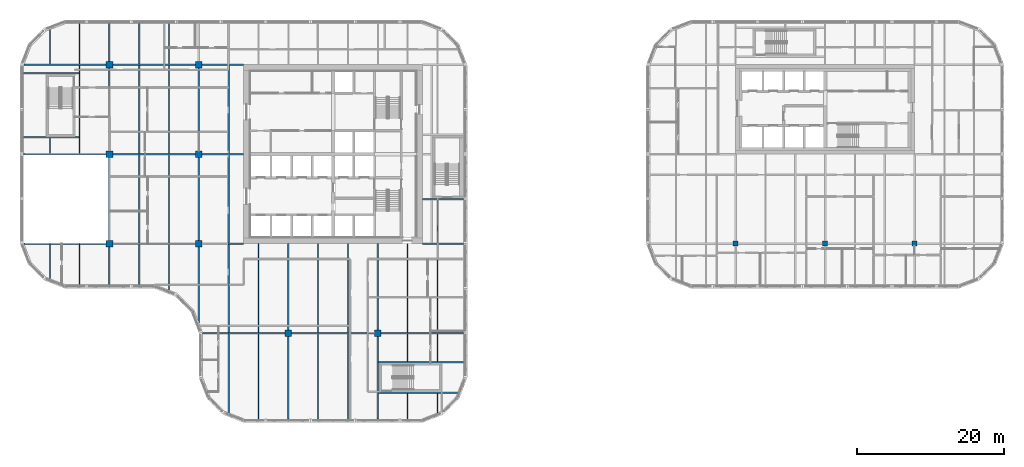
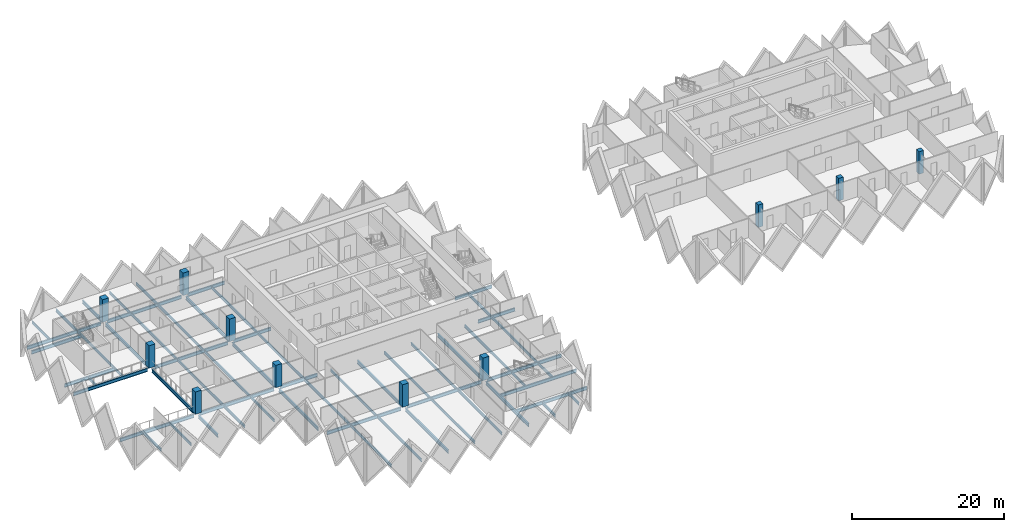
# One storey, part 1 of 19: 60 beams, 11 columns.
"""IFC4 building model written with IfcOpenShell, lengths in metres."""

from ifc_helpers import new_model, si_unit, direction, frame, origin, origin_2d, place, context, subcontext, project, spatial, rectangle, i_section, extrude, material, material_profile, profile_set, type_object, element, save


model = new_model("IFC4")

# Units and contexts
model_context = context("Model", 3, precision=1e-05, world=origin(), true_north=direction((0.0, 1.0)))
body_context = subcontext(model_context, "Body", "Model", "MODEL_VIEW")
ifc_project = project(units=[si_unit("LENGTHUNIT", "METRE"), si_unit("AREAUNIT", "SQUARE_METRE"), si_unit("VOLUMEUNIT", "CUBIC_METRE"), si_unit("PLANEANGLEUNIT", "RADIAN"), si_unit("MASSUNIT", "GRAM", prefix="KILO")], contexts=[model_context])

# Site, building, storey
site_placement = place(None, origin())
site = spatial("IfcSite", under=ifc_project, at=site_placement, CompositionType="ELEMENT")
building_placement = place(site_placement, origin())
building = spatial("IfcBuilding", under=site, at=building_placement, Name="Tessera Gate Towers", CompositionType="ELEMENT")
storey_placement = place(building_placement, frame((0.0, 0.0, 76.199951171875)))
storey = spatial("IfcBuildingStorey", under=building, at=storey_placement, Name="L18", CompositionType="ELEMENT", Elevation=76.199951171875)

# Columns
ifc_material_1 = material(Name="Concrete C70/85", Category="concrete")
ifc_material_profile_1 = material_profile(ifc_material_1, rectangle(XDim=0.699951171875, YDim=0.699951171875, at=origin_2d()), Name="RC 700x700")
ifc_profile_set_1 = profile_set([ifc_material_profile_1], Name="Concrete C70/85")
column_type_1 = type_object("IfcColumnType", Name="COLUMN RC 700x700", PredefinedType="COLUMN", material=ifc_profile_set_1)
for number, where, z_axis, x_axis, name in (
    (1, (97.60009765625, 24.39990234375, 0.0), (0.0, 0.0, 1.0), (1.0, 0.0, 0.0), "T2-COL-9C-L18"),
    (2, (109.800048828125, 24.39990234375, 0.0), (0.0, 0.0, 1.0), (1.0, 0.0, 0.0), "T2-COL-10C-L18"),
    (3, (122.0, 24.39990234375, 0.0), (0.0, 0.0, 1.0), (1.0, 0.0, 0.0), "T2-COL-11C-L18"),
):
    element("IfcColumn", number, at=place(storey_placement, frame(where, z_axis=z_axis, x_axis=x_axis)), inside=storey, type_object=column_type_1, Name=name, PredefinedType="COLUMN", context=body_context, shape_type="SweptSolid", body=[
        extrude(rectangle(XDim=0.699951171875, YDim=0.699951171875, at=origin_2d()), origin(), (0.0, 0.0, 1.0), 3.60009765625),
    ])
ifc_material_2 = material(Name="Concrete C70/85", Category="concrete")
ifc_material_profile_2 = material_profile(ifc_material_2, rectangle(XDim=0.89990234375, YDim=0.89990234375, at=origin_2d()), Name="RC 900x900")
ifc_profile_set_2 = profile_set([ifc_material_profile_2], Name="Concrete C70/85")
column_type_2 = type_object("IfcColumnType", Name="COLUMN RC 900x900", PredefinedType="COLUMN", material=ifc_profile_set_2)
for number, where, z_axis, x_axis, name in (
    (4, (12.199951171875, 24.39990234375, 0.0), (0.0, 0.0, 1.0), (1.0, 0.0, 0.0), "T1-COL-2C-L18"),
    (5, (12.199951171875, 36.60009765625, 0.0), (0.0, 0.0, 1.0), (1.0, 0.0, 0.0), "T1-COL-2D-L18"),
    (6, (12.199951171875, 48.800048828125, 0.0), (0.0, 0.0, 1.0), (1.0, 0.0, 0.0), "T1-COL-2E-L18"),
    (7, (24.39990234375, 24.39990234375, 0.0), (0.0, 0.0, 1.0), (1.0, 0.0, 0.0), "T1-COL-3C-L18"),
    (8, (24.39990234375, 36.60009765625, 0.0), (0.0, 0.0, 1.0), (1.0, 0.0, 0.0), "T1-COL-3D-L18"),
    (9, (24.39990234375, 48.800048828125, 0.0), (0.0, 0.0, 1.0), (1.0, 0.0, 0.0), "T1-COL-3E-L18"),
    (10, (36.60009765625, 12.199951171875, 0.0), (0.0, 0.0, 1.0), (1.0, 0.0, 0.0), "T1-COL-4B-L18"),
    (11, (48.800048828125, 12.199951171875, 0.0), (0.0, 0.0, 1.0), (1.0, 0.0, 0.0), "T1-COL-5B-L18"),
):
    element("IfcColumn", number, at=place(storey_placement, frame(where, z_axis=z_axis, x_axis=x_axis)), inside=storey, type_object=column_type_2, Name=name, PredefinedType="COLUMN", context=body_context, shape_type="SweptSolid", body=[
        extrude(rectangle(XDim=0.89990234375, YDim=0.89990234375, at=origin_2d()), origin(), (0.0, 0.0, 1.0), 3.60009765625),
    ])

# Beams
ifc_material_3 = material(Name="Steel 350W", Category="steel")
ifc_material_profile_3 = material_profile(ifc_material_3, i_section(OverallWidth=0.208984375, OverallDepth=0.532958984375, WebThickness=0.01025390625, FlangeThickness=0.015625, at=origin_2d()), Name="W530x92")
ifc_profile_set_3 = profile_set([ifc_material_profile_3], Name="Steel 350W")
beam_type_1 = type_object("IfcBeamType", Name="FLOOR GIRDER W530x92", PredefinedType="BEAM", material=ifc_profile_set_3)
beam_1_placement = place(storey_placement, frame((24.89892578125, 12.199951171875, -0.466552734375), z_axis=(1.0, 0.0, 0.0), x_axis=(0.0, 1.0, 0.0)))
element("IfcBeam", 12, at=beam_1_placement, inside=storey, type_object=beam_type_1, Name="T1-GD-L18-2463", PredefinedType="BEAM", context=body_context, shape_type="SweptSolid", body=[
    extrude(i_section(OverallWidth=0.208984375, OverallDepth=0.532958984375, WebThickness=0.01025390625, FlangeThickness=0.015625, at=origin_2d()), origin(), (0.0, 0.0, 1.0), 11.2509765625),
])
beam_2_placement = place(storey_placement, frame((37.050048828125, 12.199951171875, -0.466552734375), z_axis=(1.0, 0.0, 0.0), x_axis=(0.0, 1.0, 0.0)))
element("IfcBeam", 13, at=beam_2_placement, inside=storey, type_object=beam_type_1, Name="T1-GD-L18-2464", PredefinedType="BEAM", context=body_context, shape_type="SweptSolid", body=[
    extrude(i_section(OverallWidth=0.208984375, OverallDepth=0.532958984375, WebThickness=0.01025390625, FlangeThickness=0.015625, at=origin_2d()), origin(), (0.0, 0.0, 1.0), 11.300048828125),
])
beam_3_placement = place(storey_placement, frame((49.25, 12.199951171875, -0.466552734375), z_axis=(1.0, 0.0, 0.0), x_axis=(0.0, 1.0, 0.0)))
element("IfcBeam", 14, at=beam_3_placement, inside=storey, type_object=beam_type_1, Name="T1-GD-L18-2465", PredefinedType="BEAM", context=body_context, shape_type="SweptSolid", body=[
    extrude(i_section(OverallWidth=0.208984375, OverallDepth=0.532958984375, WebThickness=0.01025390625, FlangeThickness=0.015625, at=origin_2d()), origin(), (0.0, 0.0, 1.0), 11.2509765625),
])
beam_4_placement = place(storey_placement, frame((0.534912109375, 24.39990234375, -0.466552734375), z_axis=(1.0, 0.0, 0.0), x_axis=(0.0, 1.0, 0.0)))
element("IfcBeam", 15, at=beam_4_placement, inside=storey, type_object=beam_type_1, Name="T1-GD-L18-2466", PredefinedType="BEAM", context=body_context, shape_type="SweptSolid", body=[
    extrude(i_section(OverallWidth=0.208984375, OverallDepth=0.532958984375, WebThickness=0.01025390625, FlangeThickness=0.015625, at=origin_2d()), origin(), (0.0, 0.0, 1.0), 11.215087890625),
])
beam_5_placement = place(storey_placement, frame((12.64990234375, 24.39990234375, -0.466552734375), z_axis=(1.0, 0.0, 0.0), x_axis=(0.0, 1.0, 0.0)))
element("IfcBeam", 16, at=beam_5_placement, inside=storey, type_object=beam_type_1, Name="T1-GD-L18-2467", PredefinedType="BEAM", context=body_context, shape_type="SweptSolid", body=[
    extrude(i_section(OverallWidth=0.208984375, OverallDepth=0.532958984375, WebThickness=0.01025390625, FlangeThickness=0.015625, at=origin_2d()), origin(), (0.0, 0.0, 1.0), 11.300048828125),
])
beam_6_placement = place(storey_placement, frame((24.85009765625, 24.39990234375, -0.466552734375), z_axis=(1.0, 0.0, 0.0), x_axis=(0.0, 1.0, 0.0)))
element("IfcBeam", 17, at=beam_6_placement, inside=storey, type_object=beam_type_1, Name="T1-GD-L18-2468", PredefinedType="BEAM", context=body_context, shape_type="SweptSolid", body=[
    extrude(i_section(OverallWidth=0.208984375, OverallDepth=0.532958984375, WebThickness=0.01025390625, FlangeThickness=0.015625, at=origin_2d()), origin(), (0.0, 0.0, 1.0), 5.64892578125),
])
beam_7_placement = place(storey_placement, frame((54.90087890625, 24.39990234375, -0.466552734375), z_axis=(1.0, 0.0, 0.0), x_axis=(0.0, 1.0, 0.0)))
element("IfcBeam", 18, at=beam_7_placement, inside=storey, type_object=beam_type_1, Name="T1-GD-L18-2469", PredefinedType="BEAM", context=body_context, shape_type="SweptSolid", body=[
    extrude(i_section(OverallWidth=0.208984375, OverallDepth=0.532958984375, WebThickness=0.01025390625, FlangeThickness=0.015625, at=origin_2d()), origin(), (0.0, 0.0, 1.0), 5.60009765625),
])
beam_8_placement = place(storey_placement, frame((0.4990234375, 36.60009765625, -0.466552734375), z_axis=(1.0, 0.0, 0.0), x_axis=(0.0, 1.0, 0.0)))
element("IfcBeam", 19, at=beam_8_placement, inside=storey, type_object=beam_type_1, Name="T1-GD-L18-2470", PredefinedType="BEAM", context=body_context, shape_type="SweptSolid", body=[
    extrude(i_section(OverallWidth=0.208984375, OverallDepth=0.532958984375, WebThickness=0.01025390625, FlangeThickness=0.015625, at=origin_2d()), origin(), (0.0, 0.0, 1.0), 11.2509765625),
])
beam_9_placement = place(storey_placement, frame((12.64990234375, 36.60009765625, -0.466552734375), z_axis=(1.0, 0.0, 0.0), x_axis=(0.0, 1.0, 0.0)))
element("IfcBeam", 20, at=beam_9_placement, inside=storey, type_object=beam_type_1, Name="T1-GD-L18-2471", PredefinedType="BEAM", context=body_context, shape_type="SweptSolid", body=[
    extrude(i_section(OverallWidth=0.208984375, OverallDepth=0.532958984375, WebThickness=0.01025390625, FlangeThickness=0.015625, at=origin_2d()), origin(), (0.0, 0.0, 1.0), 11.300048828125),
])
beam_10_placement = place(storey_placement, frame((24.85009765625, 36.60009765625, -0.466552734375), z_axis=(1.0, 0.0, 0.0), x_axis=(0.0, 1.0, 0.0)))
element("IfcBeam", 21, at=beam_10_placement, inside=storey, type_object=beam_type_1, Name="T1-GD-L18-2472", PredefinedType="BEAM", context=body_context, shape_type="SweptSolid", body=[
    extrude(i_section(OverallWidth=0.208984375, OverallDepth=0.532958984375, WebThickness=0.01025390625, FlangeThickness=0.015625, at=origin_2d()), origin(), (0.0, 0.0, 1.0), 5.65087890625),
])
beam_11_placement = place(storey_placement, frame((0.534912109375, 48.800048828125, -0.466552734375), z_axis=(1.0, 0.0, 0.0), x_axis=(0.0, 1.0, 0.0)))
element("IfcBeam", 22, at=beam_11_placement, inside=storey, type_object=beam_type_1, Name="T1-GD-L18-2474", PredefinedType="BEAM", context=body_context, shape_type="SweptSolid", body=[
    extrude(i_section(OverallWidth=0.208984375, OverallDepth=0.532958984375, WebThickness=0.01025390625, FlangeThickness=0.015625, at=origin_2d()), origin(), (0.0, 0.0, 1.0), 11.215087890625),
])
beam_12_placement = place(storey_placement, frame((12.64990234375, 48.800048828125, -0.466552734375), z_axis=(1.0, 0.0, 0.0), x_axis=(0.0, 1.0, 0.0)))
element("IfcBeam", 23, at=beam_12_placement, inside=storey, type_object=beam_type_1, Name="T1-GD-L18-2475", PredefinedType="BEAM", context=body_context, shape_type="SweptSolid", body=[
    extrude(i_section(OverallWidth=0.208984375, OverallDepth=0.532958984375, WebThickness=0.01025390625, FlangeThickness=0.015625, at=origin_2d()), origin(), (0.0, 0.0, 1.0), 11.300048828125),
])
beam_13_placement = place(storey_placement, frame((24.85009765625, 48.800048828125, -0.466552734375), z_axis=(1.0, 0.0, 0.0), x_axis=(0.0, 1.0, 0.0)))
element("IfcBeam", 24, at=beam_13_placement, inside=storey, type_object=beam_type_1, Name="T1-GD-L18-2476", PredefinedType="BEAM", context=body_context, shape_type="SweptSolid", body=[
    extrude(i_section(OverallWidth=0.208984375, OverallDepth=0.532958984375, WebThickness=0.01025390625, FlangeThickness=0.015625, at=origin_2d()), origin(), (0.0, 0.0, 1.0), 5.64892578125),
])
beam_14_placement = place(storey_placement, frame((12.199951171875, 18.799072265625, -0.466552734375), z_axis=(0.0, 1.0, 0.0), x_axis=(-1.0, 0.0, 0.0)))
element("IfcBeam", 25, at=beam_14_placement, inside=storey, type_object=beam_type_1, Name="T1-GD-L18-2478", PredefinedType="BEAM", context=body_context, shape_type="SweptSolid", body=[
    extrude(i_section(OverallWidth=0.208984375, OverallDepth=0.532958984375, WebThickness=0.01025390625, FlangeThickness=0.015625, at=origin_2d()), origin(), (0.0, 0.0, 1.0), 5.15087890625),
])
beam_15_placement = place(storey_placement, frame((12.199951171875, 24.85009765625, -0.466552734375), z_axis=(0.0, 1.0, 0.0), x_axis=(-1.0, 0.0, 0.0)))
element("IfcBeam", 26, at=beam_15_placement, inside=storey, type_object=beam_type_1, Name="T1-GD-L18-2479", PredefinedType="BEAM", context=body_context, shape_type="SweptSolid", body=[
    extrude(i_section(OverallWidth=0.208984375, OverallDepth=0.532958984375, WebThickness=0.01025390625, FlangeThickness=0.015625, at=origin_2d()), origin(), (0.0, 0.0, 1.0), 11.2998046875),
])
beam_16_placement = place(storey_placement, frame((12.199951171875, 37.050048828125, -0.466552734375), z_axis=(0.0, 1.0, 0.0), x_axis=(-1.0, 0.0, 0.0)))
element("IfcBeam", 27, at=beam_16_placement, inside=storey, type_object=beam_type_1, Name="T1-GD-L18-2480", PredefinedType="BEAM", context=body_context, shape_type="SweptSolid", body=[
    extrude(i_section(OverallWidth=0.208984375, OverallDepth=0.532958984375, WebThickness=0.01025390625, FlangeThickness=0.015625, at=origin_2d()), origin(), (0.0, 0.0, 1.0), 11.300048828125),
])
beam_17_placement = place(storey_placement, frame((12.199951171875, 49.25, -0.466552734375), z_axis=(0.0, 1.0, 0.0), x_axis=(-1.0, 0.0, 0.0)))
element("IfcBeam", 28, at=beam_17_placement, inside=storey, type_object=beam_type_1, Name="T1-GD-L18-2481", PredefinedType="BEAM", context=body_context, shape_type="SweptSolid", body=[
    extrude(i_section(OverallWidth=0.208984375, OverallDepth=0.532958984375, WebThickness=0.01025390625, FlangeThickness=0.015625, at=origin_2d()), origin(), (0.0, 0.0, 1.0), 5.15087890625),
])
beam_18_placement = place(storey_placement, frame((24.39990234375, 13.58642578125, -0.466552734375), z_axis=(0.0, 1.0, 0.0), x_axis=(-1.0, 0.0, 0.0)))
element("IfcBeam", 29, at=beam_18_placement, inside=storey, type_object=beam_type_1, Name="T1-GD-L18-2482", PredefinedType="BEAM", context=body_context, shape_type="SweptSolid", body=[
    extrude(i_section(OverallWidth=0.208984375, OverallDepth=0.532958984375, WebThickness=0.01025390625, FlangeThickness=0.015625, at=origin_2d()), origin(), (0.0, 0.0, 1.0), 10.363525390625),
])
beam_19_placement = place(storey_placement, frame((24.39990234375, 24.85009765625, -0.466552734375), z_axis=(0.0, 1.0, 0.0), x_axis=(-1.0, 0.0, 0.0)))
element("IfcBeam", 30, at=beam_19_placement, inside=storey, type_object=beam_type_1, Name="T1-GD-L18-2483", PredefinedType="BEAM", context=body_context, shape_type="SweptSolid", body=[
    extrude(i_section(OverallWidth=0.208984375, OverallDepth=0.532958984375, WebThickness=0.01025390625, FlangeThickness=0.015625, at=origin_2d()), origin(), (0.0, 0.0, 1.0), 11.2998046875),
])
beam_20_placement = place(storey_placement, frame((24.39990234375, 37.050048828125, -0.466552734375), z_axis=(0.0, 1.0, 0.0), x_axis=(-1.0, 0.0, 0.0)))
element("IfcBeam", 31, at=beam_20_placement, inside=storey, type_object=beam_type_1, Name="T1-GD-L18-2484", PredefinedType="BEAM", context=body_context, shape_type="SweptSolid", body=[
    extrude(i_section(OverallWidth=0.208984375, OverallDepth=0.532958984375, WebThickness=0.01025390625, FlangeThickness=0.015625, at=origin_2d()), origin(), (0.0, 0.0, 1.0), 11.300048828125),
])
beam_21_placement = place(storey_placement, frame((36.60009765625, 0.4990234375, -0.466552734375), z_axis=(0.0, 1.0, 0.0), x_axis=(-1.0, 0.0, 0.0)))
element("IfcBeam", 32, at=beam_21_placement, inside=storey, type_object=beam_type_1, Name="T1-GD-L18-2486", PredefinedType="BEAM", context=body_context, shape_type="SweptSolid", body=[
    extrude(i_section(OverallWidth=0.208984375, OverallDepth=0.532958984375, WebThickness=0.01025390625, FlangeThickness=0.015625, at=origin_2d()), origin(), (0.0, 0.0, 1.0), 11.2509765625),
])
beam_22_placement = place(storey_placement, frame((36.60009765625, 12.64990234375, -0.466552734375), z_axis=(0.0, 1.0, 0.0), x_axis=(-1.0, 0.0, 0.0)))
element("IfcBeam", 33, at=beam_22_placement, inside=storey, type_object=beam_type_1, Name="T1-GD-L18-2487", PredefinedType="BEAM", context=body_context, shape_type="SweptSolid", body=[
    extrude(i_section(OverallWidth=0.208984375, OverallDepth=0.532958984375, WebThickness=0.01025390625, FlangeThickness=0.015625, at=origin_2d()), origin(), (0.0, 0.0, 1.0), 11.75),
])
beam_23_placement = place(storey_placement, frame((48.800048828125, 0.4990234375, -0.466552734375), z_axis=(0.0, 1.0, 0.0), x_axis=(-1.0, 0.0, 0.0)))
element("IfcBeam", 34, at=beam_23_placement, inside=storey, type_object=beam_type_1, Name="T1-GD-L18-2488", PredefinedType="BEAM", context=body_context, shape_type="SweptSolid", body=[
    extrude(i_section(OverallWidth=0.208984375, OverallDepth=0.532958984375, WebThickness=0.01025390625, FlangeThickness=0.015625, at=origin_2d()), origin(), (0.0, 0.0, 1.0), 11.2509765625),
])
beam_24_placement = place(storey_placement, frame((48.800048828125, 12.64990234375, -0.466552734375), z_axis=(0.0, 1.0, 0.0), x_axis=(-1.0, 0.0, 0.0)))
element("IfcBeam", 35, at=beam_24_placement, inside=storey, type_object=beam_type_1, Name="T1-GD-L18-2489", PredefinedType="BEAM", context=body_context, shape_type="SweptSolid", body=[
    extrude(i_section(OverallWidth=0.208984375, OverallDepth=0.532958984375, WebThickness=0.01025390625, FlangeThickness=0.015625, at=origin_2d()), origin(), (0.0, 0.0, 1.0), 11.75),
])
for number, where, z_axis, x_axis, name in (
    (36, (0.4990234375, 38.8798828125, -0.466552734375), (1.0, 0.0, 0.0), (0.0, 1.0, 0.0), "T1-GD-L18-2490"),
    (37, (0.4990234375, 47.6201171875, -0.466552734375), (1.0, 0.0, 0.0), (0.0, 1.0, 0.0), "T1-GD-L18-2491"),
):
    element("IfcBeam", number, at=place(storey_placement, frame(where, z_axis=z_axis, x_axis=x_axis)), inside=storey, type_object=beam_type_1, Name=name, PredefinedType="BEAM", context=body_context, shape_type="SweptSolid", body=[
        extrude(i_section(OverallWidth=0.208984375, OverallDepth=0.532958984375, WebThickness=0.01025390625, FlangeThickness=0.015625, at=origin_2d()), origin(), (0.0, 0.0, 1.0), 7.557861328125),
    ])
beam_25_placement = place(storey_placement, frame((48.87646484375, 4.080078125, -0.466552734375), z_axis=(1.0, 0.0, 0.0), x_axis=(0.0, 1.0, 0.0)))
element("IfcBeam", 38, at=beam_25_placement, inside=storey, type_object=beam_type_1, Name="T1-GD-L18-2492", PredefinedType="BEAM", context=body_context, shape_type="SweptSolid", body=[
    extrude(i_section(OverallWidth=0.208984375, OverallDepth=0.532958984375, WebThickness=0.01025390625, FlangeThickness=0.015625, at=origin_2d()), origin(), (0.0, 0.0, 1.0), 10.809326171875),
])
beam_26_placement = place(storey_placement, frame((48.87646484375, 8.219970703125, -0.466552734375), z_axis=(1.0, 0.0, 0.0), x_axis=(0.0, 1.0, 0.0)))
element("IfcBeam", 39, at=beam_26_placement, inside=storey, type_object=beam_type_1, Name="T1-GD-L18-2493", PredefinedType="BEAM", context=body_context, shape_type="SweptSolid", body=[
    extrude(i_section(OverallWidth=0.208984375, OverallDepth=0.532958984375, WebThickness=0.01025390625, FlangeThickness=0.015625, at=origin_2d()), origin(), (0.0, 0.0, 1.0), 11.62451171875),
])
beam_27_placement = place(storey_placement, frame((54.89892578125, 30.47998046875, -0.466552734375), z_axis=(1.0, 0.0, 0.0), x_axis=(0.0, 1.0, 0.0)))
element("IfcBeam", 40, at=beam_27_placement, inside=storey, type_object=beam_type_1, Name="T1-GD-L18-2494", PredefinedType="BEAM", context=body_context, shape_type="SweptSolid", body=[
    extrude(i_section(OverallWidth=0.208984375, OverallDepth=0.532958984375, WebThickness=0.01025390625, FlangeThickness=0.015625, at=origin_2d()), origin(), (0.0, 0.0, 1.0), 5.60205078125),
])
ifc_material_4 = material(Name="Steel 350W", Category="steel")
ifc_material_profile_4 = material_profile(ifc_material_4, i_section(OverallWidth=0.153076171875, OverallDepth=0.455078125, WebThickness=0.008056640625, FlangeThickness=0.01318359375, at=origin_2d()), Name="W460x60")
ifc_profile_set_4 = profile_set([ifc_material_profile_4], Name="Steel 350W")
beam_type_2 = type_object("IfcBeamType", Name="FLOOR SECONDARY W460x60", PredefinedType="BEAM", material=ifc_profile_set_4)
beam_28_placement = place(storey_placement, frame((4.066650390625, 19.620361328125, -0.427490234375), z_axis=(0.0, 1.0, 0.0), x_axis=(-1.0, 0.0, 0.0)))
element("IfcBeam", 41, at=beam_28_placement, inside=storey, type_object=beam_type_2, Name="T1-BM-L18-2497", PredefinedType="BEAM", context=body_context, shape_type="SweptSolid", body=[
    extrude(i_section(OverallWidth=0.153076171875, OverallDepth=0.455078125, WebThickness=0.008056640625, FlangeThickness=0.01318359375, at=origin_2d()), origin(), (0.0, 0.0, 1.0), 4.779541015625),
])
beam_29_placement = place(storey_placement, frame((4.066650390625, 36.70458984375, -0.427490234375), z_axis=(0.0, 1.0, 0.0), x_axis=(-1.0, 0.0, 0.0)))
element("IfcBeam", 42, at=beam_29_placement, inside=storey, type_object=beam_type_2, Name="T1-BM-L18-2498", PredefinedType="BEAM", context=body_context, shape_type="SweptSolid", body=[
    extrude(i_section(OverallWidth=0.153076171875, OverallDepth=0.455078125, WebThickness=0.008056640625, FlangeThickness=0.01318359375, at=origin_2d()), origin(), (0.0, 0.0, 1.0), 2.07080078125),
])
beam_30_placement = place(storey_placement, frame((4.066650390625, 48.904541015625, -0.427490234375), z_axis=(0.0, 1.0, 0.0), x_axis=(-1.0, 0.0, 0.0)))
element("IfcBeam", 43, at=beam_30_placement, inside=storey, type_object=beam_type_2, Name="T1-BM-L18-2499", PredefinedType="BEAM", context=body_context, shape_type="SweptSolid", body=[
    extrude(i_section(OverallWidth=0.153076171875, OverallDepth=0.455078125, WebThickness=0.008056640625, FlangeThickness=0.01318359375, at=origin_2d()), origin(), (0.0, 0.0, 1.0), 4.675048828125),
])
beam_31_placement = place(storey_placement, frame((8.13330078125, 18.800048828125, -0.427490234375), z_axis=(0.0, 1.0, 0.0), x_axis=(-1.0, 0.0, 0.0)))
element("IfcBeam", 44, at=beam_31_placement, inside=storey, type_object=beam_type_2, Name="T1-BM-L18-2500", PredefinedType="BEAM", context=body_context, shape_type="SweptSolid", body=[
    extrude(i_section(OverallWidth=0.153076171875, OverallDepth=0.455078125, WebThickness=0.008056640625, FlangeThickness=0.01318359375, at=origin_2d()), origin(), (0.0, 0.0, 1.0), 5.599853515625),
])
beam_32_placement = place(storey_placement, frame((8.13330078125, 36.70458984375, -0.427490234375), z_axis=(0.0, 1.0, 0.0), x_axis=(-1.0, 0.0, 0.0)))
element("IfcBeam", 45, at=beam_32_placement, inside=storey, type_object=beam_type_2, Name="T1-BM-L18-2501", PredefinedType="BEAM", context=body_context, shape_type="SweptSolid", body=[
    extrude(i_section(OverallWidth=0.153076171875, OverallDepth=0.455078125, WebThickness=0.008056640625, FlangeThickness=0.01318359375, at=origin_2d()), origin(), (0.0, 0.0, 1.0), 11.990966796875),
])
for number, where, z_axis, x_axis, name in (
    (46, (8.13330078125, 48.904541015625, -0.427490234375), (0.0, 1.0, 0.0), (-1.0, 0.0, 0.0), "T1-BM-L18-2502"),
    (47, (16.2666015625, 18.800048828125, -0.427490234375), (0.0, 1.0, 0.0), (-1.0, 0.0, 0.0), "T1-BM-L18-2503"),
):
    element("IfcBeam", number, at=place(storey_placement, frame(where, z_axis=z_axis, x_axis=x_axis)), inside=storey, type_object=beam_type_2, Name=name, PredefinedType="BEAM", context=body_context, shape_type="SweptSolid", body=[
        extrude(i_section(OverallWidth=0.153076171875, OverallDepth=0.455078125, WebThickness=0.008056640625, FlangeThickness=0.01318359375, at=origin_2d()), origin(), (0.0, 0.0, 1.0), 5.495361328125),
    ])
beam_33_placement = place(storey_placement, frame((16.2666015625, 24.50439453125, -0.427490234375), z_axis=(0.0, 1.0, 0.0), x_axis=(-1.0, 0.0, 0.0)))
element("IfcBeam", 48, at=beam_33_placement, inside=storey, type_object=beam_type_2, Name="T1-BM-L18-2504", PredefinedType="BEAM", context=body_context, shape_type="SweptSolid", body=[
    extrude(i_section(OverallWidth=0.153076171875, OverallDepth=0.455078125, WebThickness=0.008056640625, FlangeThickness=0.01318359375, at=origin_2d()), origin(), (0.0, 0.0, 1.0), 11.9912109375),
])
beam_34_placement = place(storey_placement, frame((16.2666015625, 36.70458984375, -0.427490234375), z_axis=(0.0, 1.0, 0.0), x_axis=(-1.0, 0.0, 0.0)))
element("IfcBeam", 49, at=beam_34_placement, inside=storey, type_object=beam_type_2, Name="T1-BM-L18-2505", PredefinedType="BEAM", context=body_context, shape_type="SweptSolid", body=[
    extrude(i_section(OverallWidth=0.153076171875, OverallDepth=0.455078125, WebThickness=0.008056640625, FlangeThickness=0.01318359375, at=origin_2d()), origin(), (0.0, 0.0, 1.0), 11.990966796875),
])
beam_35_placement = place(storey_placement, frame((16.2666015625, 48.904541015625, -0.427490234375), z_axis=(0.0, 1.0, 0.0), x_axis=(-1.0, 0.0, 0.0)))
element("IfcBeam", 50, at=beam_35_placement, inside=storey, type_object=beam_type_2, Name="T1-BM-L18-2506", PredefinedType="BEAM", context=body_context, shape_type="SweptSolid", body=[
    extrude(i_section(OverallWidth=0.153076171875, OverallDepth=0.455078125, WebThickness=0.008056640625, FlangeThickness=0.01318359375, at=origin_2d()), origin(), (0.0, 0.0, 1.0), 5.495361328125),
])
beam_36_placement = place(storey_placement, frame((20.333251953125, 18.051513671875, -0.427490234375), z_axis=(0.0, 1.0, 0.0), x_axis=(-1.0, 0.0, 0.0)))
element("IfcBeam", 51, at=beam_36_placement, inside=storey, type_object=beam_type_2, Name="T1-BM-L18-2507", PredefinedType="BEAM", context=body_context, shape_type="SweptSolid", body=[
    extrude(i_section(OverallWidth=0.153076171875, OverallDepth=0.455078125, WebThickness=0.008056640625, FlangeThickness=0.01318359375, at=origin_2d()), origin(), (0.0, 0.0, 1.0), 6.243896484375),
])
beam_37_placement = place(storey_placement, frame((20.333251953125, 24.50439453125, -0.427490234375), z_axis=(0.0, 1.0, 0.0), x_axis=(-1.0, 0.0, 0.0)))
element("IfcBeam", 52, at=beam_37_placement, inside=storey, type_object=beam_type_2, Name="T1-BM-L18-2508", PredefinedType="BEAM", context=body_context, shape_type="SweptSolid", body=[
    extrude(i_section(OverallWidth=0.153076171875, OverallDepth=0.455078125, WebThickness=0.008056640625, FlangeThickness=0.01318359375, at=origin_2d()), origin(), (0.0, 0.0, 1.0), 11.9912109375),
])
beam_38_placement = place(storey_placement, frame((20.333251953125, 36.70458984375, -0.427490234375), z_axis=(0.0, 1.0, 0.0), x_axis=(-1.0, 0.0, 0.0)))
element("IfcBeam", 53, at=beam_38_placement, inside=storey, type_object=beam_type_2, Name="T1-BM-L18-2509", PredefinedType="BEAM", context=body_context, shape_type="SweptSolid", body=[
    extrude(i_section(OverallWidth=0.153076171875, OverallDepth=0.455078125, WebThickness=0.008056640625, FlangeThickness=0.01318359375, at=origin_2d()), origin(), (0.0, 0.0, 1.0), 11.990966796875),
])
beam_39_placement = place(storey_placement, frame((20.333251953125, 48.904541015625, -0.427490234375), z_axis=(0.0, 1.0, 0.0), x_axis=(-1.0, 0.0, 0.0)))
element("IfcBeam", 54, at=beam_39_placement, inside=storey, type_object=beam_type_2, Name="T1-BM-L18-2510", PredefinedType="BEAM", context=body_context, shape_type="SweptSolid", body=[
    extrude(i_section(OverallWidth=0.153076171875, OverallDepth=0.455078125, WebThickness=0.008056640625, FlangeThickness=0.01318359375, at=origin_2d()), origin(), (0.0, 0.0, 1.0), 5.495361328125),
])
beam_40_placement = place(storey_placement, frame((28.466796875, 1.3203125, -0.427490234375), z_axis=(0.0, 1.0, 0.0), x_axis=(-1.0, 0.0, 0.0)))
element("IfcBeam", 55, at=beam_40_placement, inside=storey, type_object=beam_type_2, Name="T1-BM-L18-2511", PredefinedType="BEAM", context=body_context, shape_type="SweptSolid", body=[
    extrude(i_section(OverallWidth=0.153076171875, OverallDepth=0.455078125, WebThickness=0.008056640625, FlangeThickness=0.01318359375, at=origin_2d()), origin(), (0.0, 0.0, 1.0), 10.775146484375),
])
beam_41_placement = place(storey_placement, frame((28.466796875, 12.304443359375, -0.427490234375), z_axis=(0.0, 1.0, 0.0), x_axis=(-1.0, 0.0, 0.0)))
element("IfcBeam", 56, at=beam_41_placement, inside=storey, type_object=beam_type_2, Name="T1-BM-L18-2512", PredefinedType="BEAM", context=body_context, shape_type="SweptSolid", body=[
    extrude(i_section(OverallWidth=0.153076171875, OverallDepth=0.455078125, WebThickness=0.008056640625, FlangeThickness=0.01318359375, at=origin_2d()), origin(), (0.0, 0.0, 1.0), 11.990966796875),
])
beam_42_placement = place(storey_placement, frame((28.466796875, 24.50439453125, -0.427490234375), z_axis=(0.0, 1.0, 0.0), x_axis=(-1.0, 0.0, 0.0)))
element("IfcBeam", 57, at=beam_42_placement, inside=storey, type_object=beam_type_2, Name="T1-BM-L18-2513", PredefinedType="BEAM", context=body_context, shape_type="SweptSolid", body=[
    extrude(i_section(OverallWidth=0.153076171875, OverallDepth=0.455078125, WebThickness=0.008056640625, FlangeThickness=0.01318359375, at=origin_2d()), origin(), (0.0, 0.0, 1.0), 11.9912109375),
])
beam_43_placement = place(storey_placement, frame((28.466796875, 36.70458984375, -0.427490234375), z_axis=(0.0, 1.0, 0.0), x_axis=(-1.0, 0.0, 0.0)))
element("IfcBeam", 58, at=beam_43_placement, inside=storey, type_object=beam_type_2, Name="T1-BM-L18-2514", PredefinedType="BEAM", context=body_context, shape_type="SweptSolid", body=[
    extrude(i_section(OverallWidth=0.153076171875, OverallDepth=0.455078125, WebThickness=0.008056640625, FlangeThickness=0.01318359375, at=origin_2d()), origin(), (0.0, 0.0, 1.0), 11.990966796875),
])
beam_44_placement = place(storey_placement, frame((32.533203125, 0.5, -0.427490234375), z_axis=(0.0, 1.0, 0.0), x_axis=(-1.0, 0.0, 0.0)))
element("IfcBeam", 59, at=beam_44_placement, inside=storey, type_object=beam_type_2, Name="T1-BM-L18-2516", PredefinedType="BEAM", context=body_context, shape_type="SweptSolid", body=[
    extrude(i_section(OverallWidth=0.153076171875, OverallDepth=0.455078125, WebThickness=0.008056640625, FlangeThickness=0.01318359375, at=origin_2d()), origin(), (0.0, 0.0, 1.0), 11.595458984375),
])
beam_45_placement = place(storey_placement, frame((32.533203125, 12.304443359375, -0.427490234375), z_axis=(0.0, 1.0, 0.0), x_axis=(-1.0, 0.0, 0.0)))
element("IfcBeam", 60, at=beam_45_placement, inside=storey, type_object=beam_type_2, Name="T1-BM-L18-2517", PredefinedType="BEAM", context=body_context, shape_type="SweptSolid", body=[
    extrude(i_section(OverallWidth=0.153076171875, OverallDepth=0.455078125, WebThickness=0.008056640625, FlangeThickness=0.01318359375, at=origin_2d()), origin(), (0.0, 0.0, 1.0), 12.095458984375),
])
beam_46_placement = place(storey_placement, frame((40.666748046875, 0.5, -0.427490234375), z_axis=(0.0, 1.0, 0.0), x_axis=(-1.0, 0.0, 0.0)))
element("IfcBeam", 61, at=beam_46_placement, inside=storey, type_object=beam_type_2, Name="T1-BM-L18-2520", PredefinedType="BEAM", context=body_context, shape_type="SweptSolid", body=[
    extrude(i_section(OverallWidth=0.153076171875, OverallDepth=0.455078125, WebThickness=0.008056640625, FlangeThickness=0.01318359375, at=origin_2d()), origin(), (0.0, 0.0, 1.0), 11.595458984375),
])
beam_47_placement = place(storey_placement, frame((40.666748046875, 12.304443359375, -0.427490234375), z_axis=(0.0, 1.0, 0.0), x_axis=(-1.0, 0.0, 0.0)))
element("IfcBeam", 62, at=beam_47_placement, inside=storey, type_object=beam_type_2, Name="T1-BM-L18-2521", PredefinedType="BEAM", context=body_context, shape_type="SweptSolid", body=[
    extrude(i_section(OverallWidth=0.153076171875, OverallDepth=0.455078125, WebThickness=0.008056640625, FlangeThickness=0.01318359375, at=origin_2d()), origin(), (0.0, 0.0, 1.0), 12.095458984375),
])
beam_48_placement = place(storey_placement, frame((44.7333984375, 0.5, -0.427490234375), z_axis=(0.0, 1.0, 0.0), x_axis=(-1.0, 0.0, 0.0)))
element("IfcBeam", 63, at=beam_48_placement, inside=storey, type_object=beam_type_2, Name="T1-BM-L18-2523", PredefinedType="BEAM", context=body_context, shape_type="SweptSolid", body=[
    extrude(i_section(OverallWidth=0.153076171875, OverallDepth=0.455078125, WebThickness=0.008056640625, FlangeThickness=0.01318359375, at=origin_2d()), origin(), (0.0, 0.0, 1.0), 11.595458984375),
])
beam_49_placement = place(storey_placement, frame((44.7333984375, 12.304443359375, -0.427490234375), z_axis=(0.0, 1.0, 0.0), x_axis=(-1.0, 0.0, 0.0)))
element("IfcBeam", 64, at=beam_49_placement, inside=storey, type_object=beam_type_2, Name="T1-BM-L18-2524", PredefinedType="BEAM", context=body_context, shape_type="SweptSolid", body=[
    extrude(i_section(OverallWidth=0.153076171875, OverallDepth=0.455078125, WebThickness=0.008056640625, FlangeThickness=0.01318359375, at=origin_2d()), origin(), (0.0, 0.0, 1.0), 12.095458984375),
])
beam_50_placement = place(storey_placement, frame((52.86669921875, 0.5, -0.427490234375), z_axis=(0.0, 1.0, 0.0), x_axis=(-1.0, 0.0, 0.0)))
element("IfcBeam", 65, at=beam_50_placement, inside=storey, type_object=beam_type_2, Name="T1-BM-L18-2527", PredefinedType="BEAM", context=body_context, shape_type="SweptSolid", body=[
    extrude(i_section(OverallWidth=0.153076171875, OverallDepth=0.455078125, WebThickness=0.008056640625, FlangeThickness=0.01318359375, at=origin_2d()), origin(), (0.0, 0.0, 1.0), 3.4755859375),
])
beam_51_placement = place(storey_placement, frame((52.86669921875, 8.324462890625, -0.427490234375), z_axis=(0.0, 1.0, 0.0), x_axis=(-1.0, 0.0, 0.0)))
element("IfcBeam", 66, at=beam_51_placement, inside=storey, type_object=beam_type_2, Name="T1-BM-L18-2528", PredefinedType="BEAM", context=body_context, shape_type="SweptSolid", body=[
    extrude(i_section(OverallWidth=0.153076171875, OverallDepth=0.455078125, WebThickness=0.008056640625, FlangeThickness=0.01318359375, at=origin_2d()), origin(), (0.0, 0.0, 1.0), 3.77099609375),
])
beam_52_placement = place(storey_placement, frame((52.86669921875, 12.304443359375, -0.427490234375), z_axis=(0.0, 1.0, 0.0), x_axis=(-1.0, 0.0, 0.0)))
element("IfcBeam", 67, at=beam_52_placement, inside=storey, type_object=beam_type_2, Name="T1-BM-L18-2529", PredefinedType="BEAM", context=body_context, shape_type="SweptSolid", body=[
    extrude(i_section(OverallWidth=0.153076171875, OverallDepth=0.455078125, WebThickness=0.008056640625, FlangeThickness=0.01318359375, at=origin_2d()), origin(), (0.0, 0.0, 1.0), 12.095458984375),
])
beam_53_placement = place(storey_placement, frame((56.933349609375, 1.3203125, -0.427490234375), z_axis=(0.0, 1.0, 0.0), x_axis=(-1.0, 0.0, 0.0)))
element("IfcBeam", 68, at=beam_53_placement, inside=storey, type_object=beam_type_2, Name="T1-BM-L18-2531", PredefinedType="BEAM", context=body_context, shape_type="SweptSolid", body=[
    extrude(i_section(OverallWidth=0.153076171875, OverallDepth=0.455078125, WebThickness=0.008056640625, FlangeThickness=0.01318359375, at=origin_2d()), origin(), (0.0, 0.0, 1.0), 2.6552734375),
])
beam_54_placement = place(storey_placement, frame((56.933349609375, 8.324462890625, -0.427490234375), z_axis=(0.0, 1.0, 0.0), x_axis=(-1.0, 0.0, 0.0)))
element("IfcBeam", 69, at=beam_54_placement, inside=storey, type_object=beam_type_2, Name="T1-BM-L18-2532", PredefinedType="BEAM", context=body_context, shape_type="SweptSolid", body=[
    extrude(i_section(OverallWidth=0.153076171875, OverallDepth=0.455078125, WebThickness=0.008056640625, FlangeThickness=0.01318359375, at=origin_2d()), origin(), (0.0, 0.0, 1.0), 3.77099609375),
])
beam_55_placement = place(storey_placement, frame((56.933349609375, 12.304443359375, -0.427490234375), z_axis=(0.0, 1.0, 0.0), x_axis=(-1.0, 0.0, 0.0)))
element("IfcBeam", 70, at=beam_55_placement, inside=storey, type_object=beam_type_2, Name="T1-BM-L18-2533", PredefinedType="BEAM", context=body_context, shape_type="SweptSolid", body=[
    extrude(i_section(OverallWidth=0.153076171875, OverallDepth=0.455078125, WebThickness=0.008056640625, FlangeThickness=0.01318359375, at=origin_2d()), origin(), (0.0, 0.0, 1.0), 11.990966796875),
])
beam_56_placement = place(storey_placement, frame((56.933349609375, 24.50439453125, -0.427490234375), z_axis=(0.0, 1.0, 0.0), x_axis=(-1.0, 0.0, 0.0)))
element("IfcBeam", 71, at=beam_56_placement, inside=storey, type_object=beam_type_2, Name="T1-BM-L18-2534", PredefinedType="BEAM", context=body_context, shape_type="SweptSolid", body=[
    extrude(i_section(OverallWidth=0.153076171875, OverallDepth=0.455078125, WebThickness=0.008056640625, FlangeThickness=0.01318359375, at=origin_2d()), origin(), (0.0, 0.0, 1.0), 5.87109375),
])

save(model, "model.ifc")
